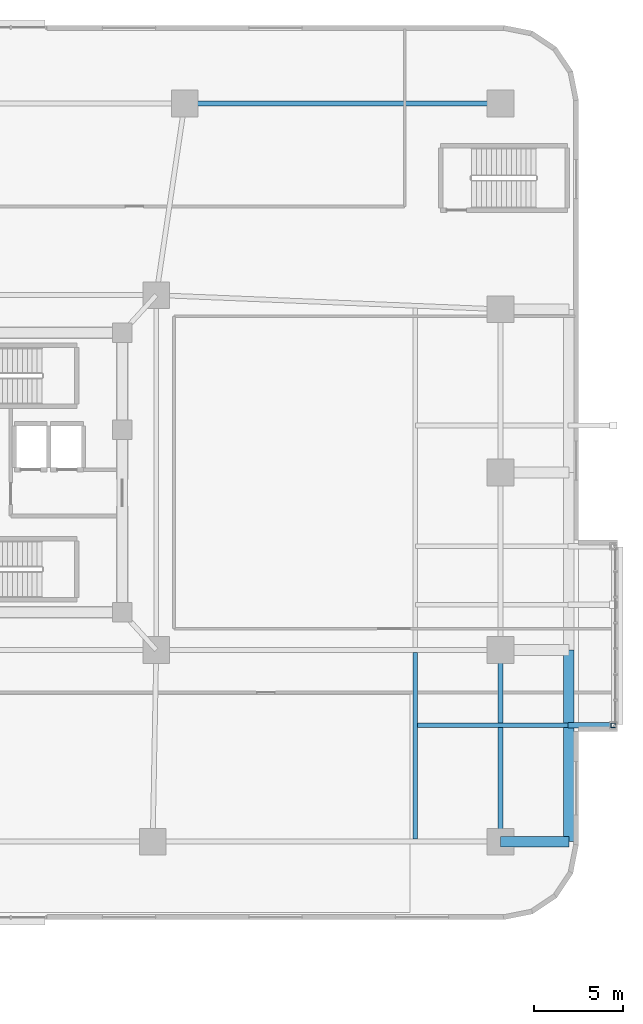
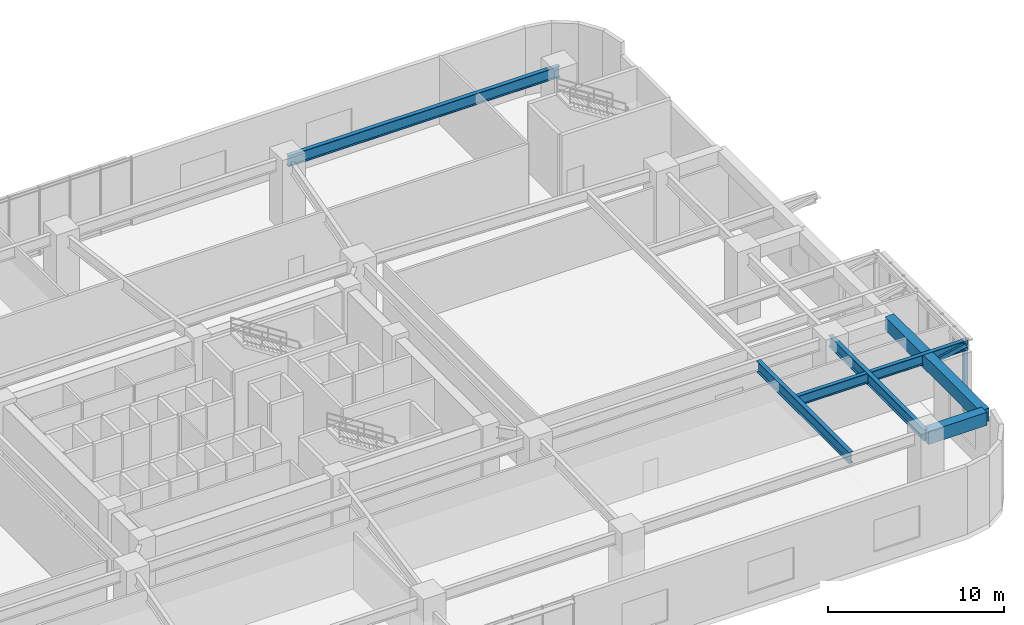
# One storey, part 9 of 23: 6 beams, 2 members.
"""IFC4 building model written with IfcOpenShell, lengths in metres."""

from ifc_helpers import new_model, si_unit, direction, frame, origin, origin_2d, place, context, subcontext, project, spatial, rectangle, hollow_rectangle, i_section, extrude, material, material_profile, profile_set, type_object, element, save


model = new_model("IFC4")

# Units and contexts
model_context = context("Model", 3, precision=1e-05, world=origin(), true_north=direction((0.0, 1.0)))
body_context = subcontext(model_context, "Body", "Model", "MODEL_VIEW")
ifc_project = project(units=[si_unit("LENGTHUNIT", "METRE"), si_unit("AREAUNIT", "SQUARE_METRE"), si_unit("VOLUMEUNIT", "CUBIC_METRE"), si_unit("PLANEANGLEUNIT", "RADIAN"), si_unit("MASSUNIT", "GRAM", prefix="KILO")], contexts=[model_context])

# Site, building, storey
site_placement = place(None, origin())
site = spatial("IfcSite", under=ifc_project, at=site_placement, CompositionType="ELEMENT")
building_placement = place(site_placement, origin())
building = spatial("IfcBuilding", under=site, at=building_placement, Name="Zulverin Broadcast Headquarters", CompositionType="ELEMENT")
storey_placement = place(building_placement, frame((0.0, 0.0, 10.0)))
storey = spatial("IfcBuildingStorey", under=building, at=storey_placement, Name="L02", CompositionType="ELEMENT", Elevation=10.0)

# Beams
ifc_material_1 = material(Name="Concrete C40/50", Category="concrete")
ifc_material_profile_1 = material_profile(ifc_material_1, rectangle(XDim=0.60009765625, YDim=0.89990234375, at=origin_2d()), Name="Concrete C40/50", Category="concrete")
ifc_profile_set_1 = profile_set([ifc_material_profile_1], Name="Concrete C40/50")
beam_type_1 = type_object("IfcBeamType", Name="BM-RC-600x900", PredefinedType="BEAM", material=ifc_profile_set_1)
beam_1_placement = place(storey_placement, frame((69.60009765625, 4.39990234375, 4.22998046875), z_axis=(1.0, 0.0, 0.0), x_axis=(0.0, 1.0, 0.0)))
element("IfcBeam", 1, at=beam_1_placement, inside=storey, type_object=beam_type_1, Name="L02 East Perimeter Bracket Girder EBR-1", PredefinedType="BEAM", context=body_context, shape_type="SweptSolid", body=[
    extrude(rectangle(XDim=0.60009765625, YDim=0.89990234375, at=origin_2d()), origin(), (0.0, 0.0, 1.0), 3.849853515625),
])
beam_2_placement = place(storey_placement, frame((73.449951171875, 4.39990234375, 4.22998046875), z_axis=(0.0, 1.0, 0.0), x_axis=(-1.0, 0.0, 0.0)))
element("IfcBeam", 2, at=beam_2_placement, inside=storey, type_object=beam_type_1, Name="L02 East Edge Spandrel Girder EEG-1", PredefinedType="BEAM", context=body_context, shape_type="SweptSolid", body=[
    extrude(rectangle(XDim=0.60009765625, YDim=0.89990234375, at=origin_2d()), origin(), (0.0, 0.0, 1.0), 10.800048828125),
])
ifc_material_2 = material(Name="Structural steel S355JR", Category="steel")
ifc_material_profile_2 = material_profile(ifc_material_2, i_section(OverallWidth=0.255859375, OverallDepth=0.69287109375, WebThickness=0.014404296875, FlangeThickness=0.023681640625, at=origin_2d()), Name="Structural steel S355JR", Category="steel")
ifc_profile_set_2 = profile_set([ifc_material_profile_2], Name="Structural steel S355JR")
beam_type_2 = type_object("IfcBeamType", Name="BM-UB-686", PredefinedType="BEAM", material=ifc_profile_set_2)
beam_3_placement = place(storey_placement, frame((64.800048828125, 10.949951171875, 4.33349609375), z_axis=(1.0, 0.0, 0.0), x_axis=(0.0, 1.0, 0.0)))
element("IfcBeam", 3, at=beam_3_placement, inside=storey, type_object=beam_type_2, Name="L02 Studio Box Cantilever Girder SBOX_POD_LOWER_E1-1", PredefinedType="BEAM", context=body_context, shape_type="SweptSolid", body=[
    extrude(i_section(OverallWidth=0.255859375, OverallDepth=0.69287109375, WebThickness=0.014404296875, FlangeThickness=0.023681640625, at=origin_2d()), origin(), (0.0, 0.0, 1.0), 11.14990234375),
])
ifc_material_profile_3 = material_profile(ifc_material_2, i_section(OverallWidth=0.26806640625, OverallDepth=0.769775390625, WebThickness=0.015625, FlangeThickness=0.025390625, at=origin_2d()), Name="Structural steel S355JR", Category="steel")
ifc_profile_set_3 = profile_set([ifc_material_profile_3], Name="Structural steel S355JR")
beam_type_3 = type_object("IfcBeamType", Name="BM-UB-762", PredefinedType="BEAM", material=ifc_profile_set_3)
beam_4_placement = place(storey_placement, frame((69.60009765625, 4.39990234375, 4.295166015625), z_axis=(0.0, 1.0, 0.0), x_axis=(-1.0, 0.0, 0.0)))
element("IfcBeam", 4, at=beam_4_placement, inside=storey, type_object=beam_type_3, Name="L02 Podium Primary Girder P05-P14", PredefinedType="BEAM", context=body_context, shape_type="SweptSolid", body=[
    extrude(i_section(OverallWidth=0.26806640625, OverallDepth=0.769775390625, WebThickness=0.015625, FlangeThickness=0.025390625, at=origin_2d()), origin(), (0.0, 0.0, 1.0), 10.800048828125),
])
beam_5_placement = place(storey_placement, frame((69.60009765625, 46.0, 4.295166015625), z_axis=(-1.0, 0.0, 0.0), x_axis=(0.0, -1.0, 0.0)))
element("IfcBeam", 5, at=beam_5_placement, inside=storey, type_object=beam_type_3, Name="L02 Podium Primary Girder P10-P09", PredefinedType="BEAM", context=body_context, shape_type="SweptSolid", body=[
    extrude(i_section(OverallWidth=0.26806640625, OverallDepth=0.769775390625, WebThickness=0.015625, FlangeThickness=0.025390625, at=origin_2d()), origin(), (0.0, 0.0, 1.0), 17.800048828125),
])
beam_6_placement = place(storey_placement, frame((64.800048828125, 4.533935546875, 4.295166015625), z_axis=(0.0, 1.0, 0.0), x_axis=(-1.0, 0.0, 0.0)))
element("IfcBeam", 6, at=beam_6_placement, inside=storey, type_object=beam_type_3, Name="L02 East Back-Span Anchor Beam ESBA-1", PredefinedType="BEAM", context=body_context, shape_type="SweptSolid", body=[
    extrude(i_section(OverallWidth=0.26806640625, OverallDepth=0.769775390625, WebThickness=0.015625, FlangeThickness=0.025390625, at=origin_2d()), origin(), (0.0, 0.0, 1.0), 10.531982421875),
])

# Members
ifc_material_profile_4 = material_profile(ifc_material_2, hollow_rectangle(XDim=0.300048828125, YDim=0.300048828125, WallThickness=0.01611328125, at=origin_2d()), Name="Structural steel S355JR", Category="steel")
ifc_profile_set_4 = profile_set([ifc_material_profile_4], Name="Structural steel S355JR")
member_type_1 = type_object("IfcMemberType", Name="MBR-BLT-DIAG1", PredefinedType="BRACE", material=ifc_profile_set_4)
member_1_placement = place(storey_placement, frame((73.449951171875, 10.949951171875, 3.830078125), z_axis=(0.976660475394, 0.0, 0.214789002987), x_axis=(0.0, 1.0, 0.0)))
element("IfcMember", 7, at=member_1_placement, inside=storey, type_object=member_type_1, Name="L02 Studio Box Raking Knee Brace SBOX_POD_LOWER_E1-1", PredefinedType="BRACE", context=body_context, shape_type="SweptSolid", body=[
    extrude(hollow_rectangle(XDim=0.300048828125, YDim=0.300048828125, WallThickness=0.01611328125, at=origin_2d()), origin(), (0.0, 0.0, 1.0), 2.559814453125),
])
ifc_material_profile_5 = material_profile(ifc_material_2, hollow_rectangle(XDim=0.25, YDim=0.25, WallThickness=0.01611328125, at=origin_2d()), Name="Structural steel S355JR", Category="steel")
ifc_profile_set_5 = profile_set([ifc_material_profile_5], Name="Structural steel S355JR")
member_type_2 = type_object("IfcMemberType", Name="MBR-BLT-POST", PredefinedType="POST", material=ifc_profile_set_5)
member_2_placement = place(storey_placement, frame((75.949951171875, 10.949951171875, -0.2900390625), z_axis=(0.0, 0.0, 1.0), x_axis=(1.0, 0.0, 0.0)))
element("IfcMember", 8, at=member_2_placement, inside=storey, type_object=member_type_2, Name="L02 Shifted Studio Box Frame Post SBOX_POD_LOWER_E1-1", PredefinedType="POST", context=body_context, shape_type="SweptSolid", body=[
    extrude(hollow_rectangle(XDim=0.25, YDim=0.25, WallThickness=0.01611328125, at=origin_2d()), origin(), (0.0, 0.0, 1.0), 4.969970703125),
])

save(model, "model.ifc")
